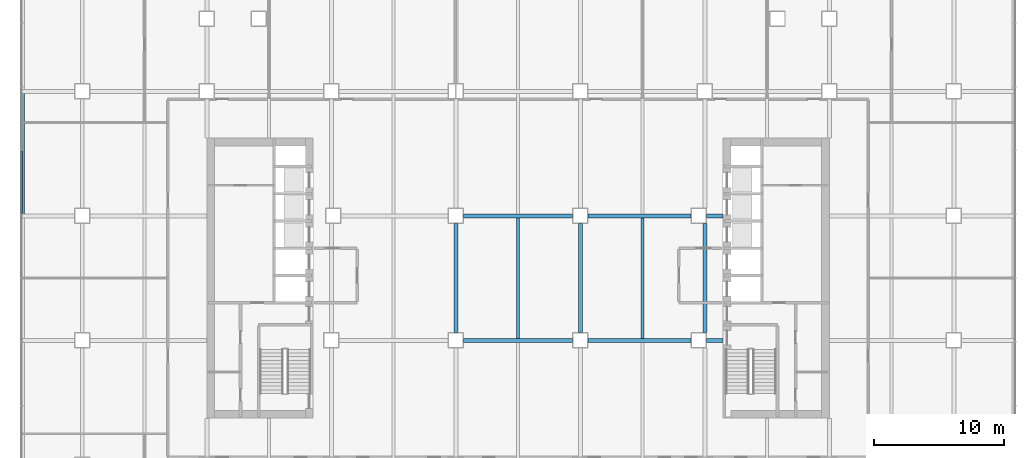
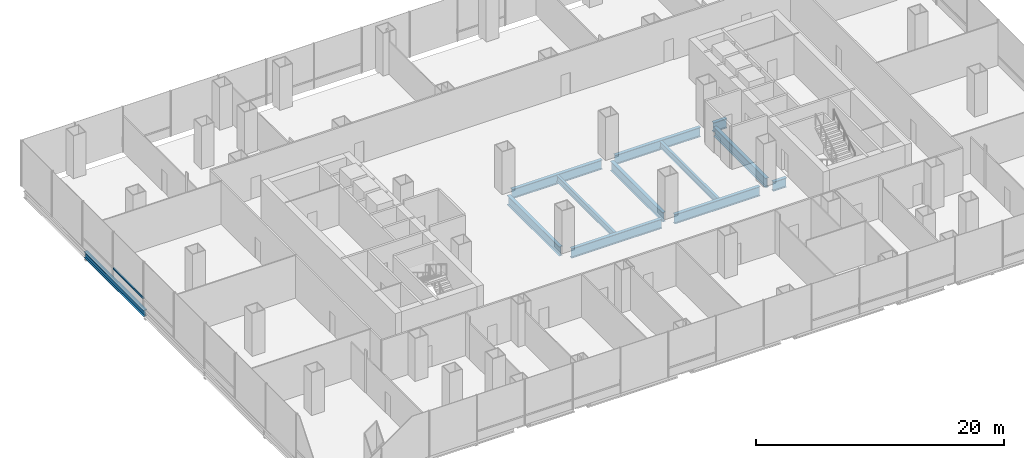
# One storey, part 7 of 23: 12 beams, 1 member, 1 element without a shape of its own.
"""IFC4 building model written with IfcOpenShell, lengths in metres."""

from ifc_helpers import new_model, si_unit, direction, frame, origin, origin_2d, place, context, subcontext, project, spatial, rectangle, i_section, extrude, material, material_profile, profile_set, type_object, element, aggregate, save


model = new_model("IFC4")

# Units and contexts
model_context = context("Model", 3, precision=1e-05, world=origin(), true_north=direction((0.0, 1.0)))
body_context = subcontext(model_context, "Body", "Model", "MODEL_VIEW")
ifc_project = project(units=[si_unit("LENGTHUNIT", "METRE"), si_unit("AREAUNIT", "SQUARE_METRE"), si_unit("VOLUMEUNIT", "CUBIC_METRE"), si_unit("PLANEANGLEUNIT", "RADIAN"), si_unit("MASSUNIT", "GRAM", prefix="KILO")], contexts=[model_context])

# Site, building, storey
site_placement = place(None, origin())
site = spatial("IfcSite", under=ifc_project, at=site_placement, CompositionType="ELEMENT")
building_placement = place(site_placement, origin())
building = spatial("IfcBuilding", under=site, at=building_placement, Name="Cobrizo Arcos Hotel Tower", CompositionType="ELEMENT")
storey_placement = place(building_placement, frame((0.0, 0.0, 29.0)))
storey = spatial("IfcBuildingStorey", under=building, at=storey_placement, Name="L05", CompositionType="ELEMENT", Elevation=29.0)

# Curtain wall, member
ifc_material_1 = material(Name="Aluminium 6063-T6 anodised bronze", Category="aluminium")
curtain_wall_type = type_object("IfcCurtainWallType", Name="CW-B podium glazing", PredefinedType="NOTDEFINED", material=ifc_material_1)
curtain_wall_placement = place(storey_placement, origin())
curtain_wall = element("IfcCurtainWall", 1, at=curtain_wall_placement, inside=storey, type_object=curtain_wall_type, Name="CW-B L05 W face", PredefinedType="NOTDEFINED")
ifc_material_profile_1 = material_profile(ifc_material_1, rectangle(XDim=0.1201171875, YDim=0.159912109375, at=origin_2d()), Name="CW-B transom 160x120")
ifc_profile_set_1 = profile_set([ifc_material_profile_1], Name="Aluminium 6063-T6 anodised bronze")
member_type = type_object("IfcMemberType", Name="CW-B transom 160x120", PredefinedType="USERDEFINED", material=ifc_profile_set_1)
member_placement = place(storey_placement, frame((-38.300048828125, 9.800048828125, 0.89990234375), z_axis=(0.0, -1.0, 0.0), x_axis=(1.0, 0.0, 0.0)))
member = element("IfcMember", 2, at=member_placement, type_object=member_type, Name="CW-B transom 299", ObjectType="TRANSOM", PredefinedType="USERDEFINED", context=body_context, shape_type="SweptSolid", body=[
    extrude(rectangle(XDim=0.1201171875, YDim=0.159912109375, at=origin_2d()), origin(), (0.0, 0.0, 1.0), 4.840087890625),
])
aggregate(curtain_wall, [member])

# Beams
ifc_material_2 = material(Name="Steel ASTM A992 Grade 50", Category="steel")
ifc_material_profile_2 = material_profile(ifc_material_2, i_section(OverallWidth=0.32763671875, OverallDepth=0.622314453125, WebThickness=0.015380859375, FlangeThickness=0.0244140625, at=origin_2d()), Name="W24X131")
ifc_profile_set_2 = profile_set([ifc_material_profile_2], Name="Steel ASTM A992 Grade 50")
beam_type_1 = type_object("IfcBeamType", Name="W24X131 edge beam", PredefinedType="BEAM", material=ifc_profile_set_2)
beam_1_placement = place(storey_placement, frame((-38.236083984375, 14.39990234375, -0.51123046875), z_axis=(0.0, -1.0, 0.0), x_axis=(1.0, 0.0, 0.0)))
element("IfcBeam", 3, at=beam_1_placement, inside=storey, type_object=beam_type_1, Name="Edge beam EB1, L05, no. 009", PredefinedType="BEAM", context=body_context, shape_type="SweptSolid", body=[
    extrude(i_section(OverallWidth=0.32763671875, OverallDepth=0.622314453125, WebThickness=0.015380859375, FlangeThickness=0.0244140625, at=origin_2d()), origin(), (0.0, 0.0, 1.0), 9.599853515625),
])
ifc_material_profile_3 = material_profile(ifc_material_2, i_section(OverallWidth=0.23046875, OverallDepth=0.6171875, WebThickness=0.01318359375, FlangeThickness=0.022216796875, at=origin_2d()), Name="W24X94")
ifc_profile_set_3 = profile_set([ifc_material_profile_3], Name="Steel ASTM A992 Grade 50")
beam_type_2 = type_object("IfcBeamType", Name="W24X94 podium joist", PredefinedType="JOIST", material=ifc_profile_set_3)
for number, where, z_axis, x_axis, name in (
    (4, (0.0, -4.646240234375, -0.508544921875), (0.0, 1.0, 0.0), (-1.0, 0.0, 0.0), "Podium joist PJ1, L05, no. 017"),
    (5, (9.60009765625, -4.646240234375, -0.508544921875), (0.0, 1.0, 0.0), (-1.0, 0.0, 0.0), "Podium joist PJ1, L05, no. 022"),
):
    element("IfcBeam", number, at=place(storey_placement, frame(where, z_axis=z_axis, x_axis=x_axis)), inside=storey, type_object=beam_type_2, Name=name, PredefinedType="JOIST", context=body_context, shape_type="SweptSolid", body=[
        extrude(i_section(OverallWidth=0.23046875, OverallDepth=0.6171875, WebThickness=0.01318359375, FlangeThickness=0.022216796875, at=origin_2d()), origin(), (0.0, 0.0, 1.0), 9.29248046875),
    ])
ifc_material_profile_4 = material_profile(ifc_material_2, i_section(OverallWidth=0.307373046875, OverallDepth=0.927001953125, WebThickness=0.01953125, FlangeThickness=0.031982421875, at=origin_2d()), Name="W36X194")
ifc_profile_set_4 = profile_set([ifc_material_profile_4], Name="Steel ASTM A992 Grade 50")
beam_type_3 = type_object("IfcBeamType", Name="W36X194 podium girder", PredefinedType="BEAM", material=ifc_profile_set_4)
beam_2_placement = place(storey_placement, frame((-4.199951171875, -4.800048828125, -0.66357421875), z_axis=(1.0, 0.0, 0.0), x_axis=(0.0, 1.0, 0.0)))
element("IfcBeam", 6, at=beam_2_placement, inside=storey, type_object=beam_type_3, Name="Podium girder PG1, L05, no. 013", PredefinedType="BEAM", context=body_context, shape_type="SweptSolid", body=[
    extrude(i_section(OverallWidth=0.307373046875, OverallDepth=0.927001953125, WebThickness=0.01953125, FlangeThickness=0.031982421875, at=origin_2d()), origin(), (0.0, 0.0, 1.0), 8.39990234375),
])
beam_3_placement = place(storey_placement, frame((5.39990234375, -4.800048828125, -0.66357421875), z_axis=(1.0, 0.0, 0.0), x_axis=(0.0, 1.0, 0.0)))
element("IfcBeam", 7, at=beam_3_placement, inside=storey, type_object=beam_type_3, Name="Podium girder PG1, L05, no. 014", PredefinedType="BEAM", context=body_context, shape_type="SweptSolid", body=[
    extrude(i_section(OverallWidth=0.307373046875, OverallDepth=0.927001953125, WebThickness=0.01953125, FlangeThickness=0.031982421875, at=origin_2d()), origin(), (0.0, 0.0, 1.0), 7.940185546875),
])
beam_4_placement = place(storey_placement, frame((14.5400390625, -4.800048828125, -0.66357421875), z_axis=(1.0, 0.0, 0.0), x_axis=(0.0, 1.0, 0.0)))
element("IfcBeam", 8, at=beam_4_placement, inside=storey, type_object=beam_type_3, Name="Podium girder PG1, L05, no. 015", PredefinedType="BEAM", context=body_context, shape_type="SweptSolid", body=[
    extrude(i_section(OverallWidth=0.307373046875, OverallDepth=0.927001953125, WebThickness=0.01953125, FlangeThickness=0.031982421875, at=origin_2d()), origin(), (0.0, 0.0, 1.0), 1.25),
])
beam_5_placement = place(storey_placement, frame((-4.199951171875, 4.800048828125, -0.66357421875), z_axis=(1.0, 0.0, 0.0), x_axis=(0.0, 1.0, 0.0)))
element("IfcBeam", 9, at=beam_5_placement, inside=storey, type_object=beam_type_3, Name="Podium girder PG1, L05, no. 021", PredefinedType="BEAM", context=body_context, shape_type="SweptSolid", body=[
    extrude(i_section(OverallWidth=0.307373046875, OverallDepth=0.927001953125, WebThickness=0.01953125, FlangeThickness=0.031982421875, at=origin_2d()), origin(), (0.0, 0.0, 1.0), 8.39990234375),
])
beam_6_placement = place(storey_placement, frame((5.39990234375, 4.800048828125, -0.66357421875), z_axis=(1.0, 0.0, 0.0), x_axis=(0.0, 1.0, 0.0)))
element("IfcBeam", 10, at=beam_6_placement, inside=storey, type_object=beam_type_3, Name="Podium girder PG1, L05, no. 022", PredefinedType="BEAM", context=body_context, shape_type="SweptSolid", body=[
    extrude(i_section(OverallWidth=0.307373046875, OverallDepth=0.927001953125, WebThickness=0.01953125, FlangeThickness=0.031982421875, at=origin_2d()), origin(), (0.0, 0.0, 1.0), 7.940185546875),
])
beam_7_placement = place(storey_placement, frame((14.5400390625, 4.800048828125, -0.66357421875), z_axis=(1.0, 0.0, 0.0), x_axis=(0.0, 1.0, 0.0)))
element("IfcBeam", 11, at=beam_7_placement, inside=storey, type_object=beam_type_3, Name="Podium girder PG1, L05, no. 023", PredefinedType="BEAM", context=body_context, shape_type="SweptSolid", body=[
    extrude(i_section(OverallWidth=0.307373046875, OverallDepth=0.927001953125, WebThickness=0.01953125, FlangeThickness=0.031982421875, at=origin_2d()), origin(), (0.0, 0.0, 1.0), 1.25),
])
for number, where, z_axis, x_axis, name in (
    (12, (-4.800048828125, -4.199951171875, -0.66357421875), (0.0, 1.0, 0.0), (-1.0, 0.0, 0.0), "Podium girder PG1, L05, no. 053"),
    (13, (4.800048828125, -4.199951171875, -0.66357421875), (0.0, 1.0, 0.0), (-1.0, 0.0, 0.0), "Podium girder PG1, L05, no. 058"),
    (14, (14.39990234375, -4.199951171875, -0.66357421875), (0.0, 1.0, 0.0), (-1.0, 0.0, 0.0), "Podium girder PG1, L05, no. 063"),
):
    element("IfcBeam", number, at=place(storey_placement, frame(where, z_axis=z_axis, x_axis=x_axis)), inside=storey, type_object=beam_type_3, Name=name, PredefinedType="BEAM", context=body_context, shape_type="SweptSolid", body=[
        extrude(i_section(OverallWidth=0.307373046875, OverallDepth=0.927001953125, WebThickness=0.01953125, FlangeThickness=0.031982421875, at=origin_2d()), origin(), (0.0, 0.0, 1.0), 8.39990234375),
    ])

save(model, "model.ifc")
